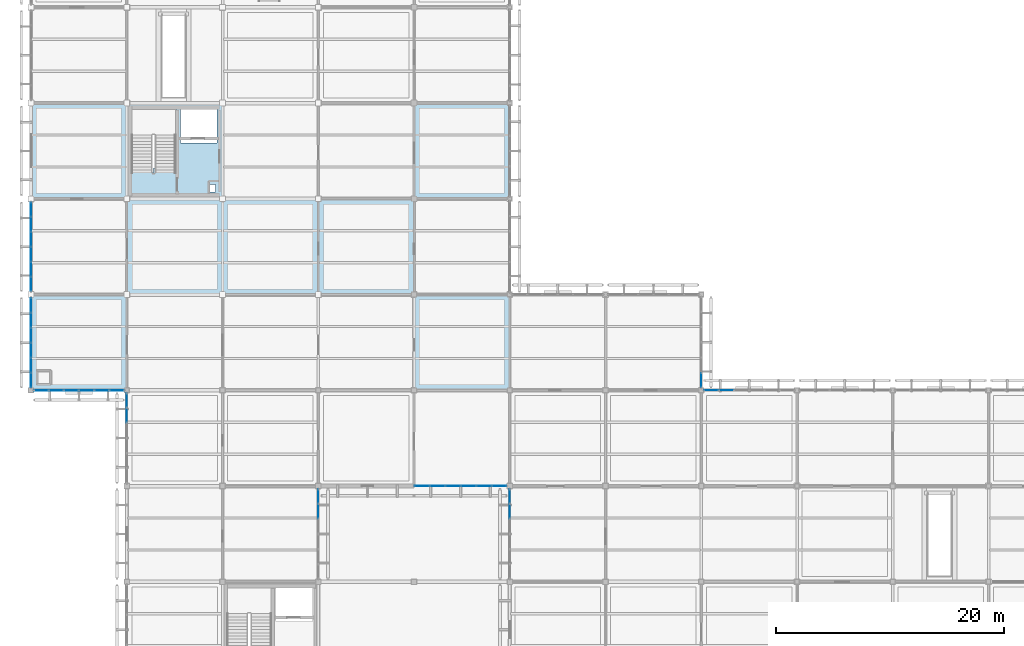
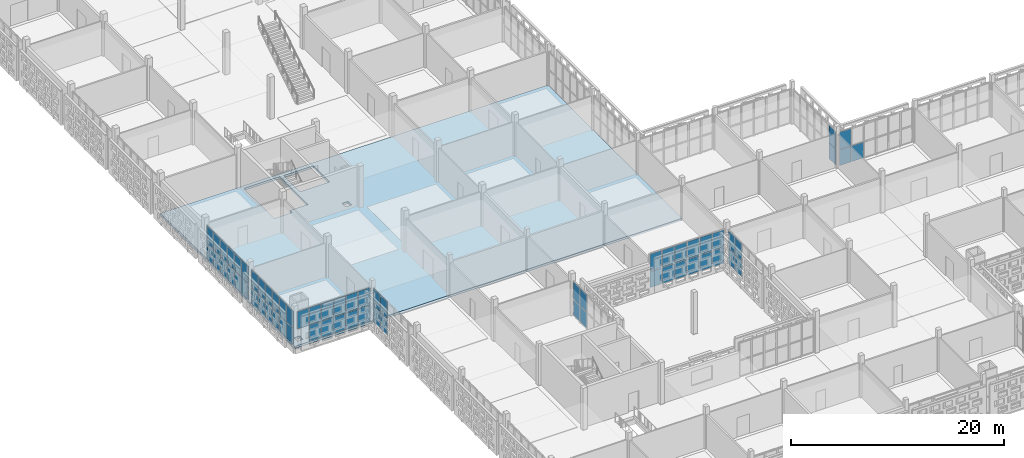
# One storey, part 89 of 203: 64 plates, 1 slab, 9 elements without a shape of their own.
"""IFC4 building model written with IfcOpenShell, lengths in metres."""

from ifc_helpers import new_model, si_unit, direction, frame, origin, origin_2d, place, context, subcontext, project, spatial, polyline, rectangle, outline, extrude, material, layer, layer_set, type_object, element, aggregate, save


model = new_model("IFC4")

# Units and contexts
model_context = context("Model", 3, precision=1e-05, world=origin(), true_north=direction((0.0, 1.0)))
body_context = subcontext(model_context, "Body", "Model", "MODEL_VIEW")
ifc_project = project(units=[si_unit("LENGTHUNIT", "METRE"), si_unit("AREAUNIT", "SQUARE_METRE"), si_unit("VOLUMEUNIT", "CUBIC_METRE"), si_unit("PLANEANGLEUNIT", "RADIAN"), si_unit("MASSUNIT", "GRAM", prefix="KILO")], contexts=[model_context])

# Site, building, storey
site_placement = place(None, origin())
site = spatial("IfcSite", under=ifc_project, at=site_placement, CompositionType="ELEMENT")
building_placement = place(site_placement, origin())
building = spatial("IfcBuilding", under=site, at=building_placement, Name="Varnapada Polytechnic", CompositionType="ELEMENT")
storey_placement = place(building_placement, frame((0.0, 0.0, 4.800048828125)))
storey = spatial("IfcBuildingStorey", under=building, at=storey_placement, Name="L01", CompositionType="ELEMENT", Elevation=4.800048828125)

# Curtain wall, plates
ifc_material_1 = material(Name="Double low-E laminated glass", Category="glass")
ifc_layer_1 = layer(ifc_material_1, 0.159912109375)
ifc_layer_set_1 = layer_set([ifc_layer_1], Name="Double low-E laminated glass")
curtain_wall_type_1 = type_object("IfcCurtainWallType", Name="Curtain Wall CW-01", PredefinedType="NOTDEFINED", material=ifc_layer_set_1)
curtain_wall_1_placement = place(storey_placement, origin())
curtain_wall_1 = element("IfcCurtainWall", 1, at=curtain_wall_1_placement, inside=storey, type_object=curtain_wall_type_1, Name="L01 unitised curtain wall CW-01 (51)", PredefinedType="NOTDEFINED")
ifc_layer_2 = layer(ifc_material_1, 0.028076171875)
ifc_layer_set_2 = layer_set([ifc_layer_2], Name="Double low-E laminated glass")
plate_type_1 = type_object("IfcPlateType", Name="Curtain Panel PNL-01", PredefinedType="CURTAIN_PANEL", material=ifc_layer_set_2)
plate_1_placement = place(storey_placement, frame((58.800048828125, 42.892578125, 0.06005859375), z_axis=(0.0, 0.0, 1.0), x_axis=(0.0, -1.0, 0.0)))
plate_1 = element("IfcPlate", 2, at=plate_1_placement, type_object=plate_type_1, Name="CW-01 panel 6.1", PredefinedType="CURTAIN_PANEL", context=body_context, shape_type="SweptSolid", body=[
    extrude(rectangle(XDim=1.2451171875, YDim=0.028076171875, at=origin_2d()), origin(), (0.0, 0.0, 1.0), 1.810791015625),
])
plate_2_placement = place(storey_placement, frame((58.800048828125, 42.892578125, 1.9306640625), z_axis=(0.0, 0.0, 1.0), x_axis=(0.0, -1.0, 0.0)))
plate_2 = element("IfcPlate", 3, at=plate_2_placement, type_object=plate_type_1, Name="CW-01 panel 6.2", PredefinedType="CURTAIN_PANEL", context=body_context, shape_type="SweptSolid", body=[
    extrude(rectangle(XDim=1.2451171875, YDim=0.028076171875, at=origin_2d()), origin(), (0.0, 0.0, 1.0), 1.96923828125),
])
aggregate(curtain_wall_1, [plate_1, plate_2])

curtain_wall_2_placement = place(storey_placement, origin())
curtain_wall_2 = element("IfcCurtainWall", 4, at=curtain_wall_2_placement, inside=storey, type_object=curtain_wall_type_1, Name="L01 unitised curtain wall CW-01 (56)", PredefinedType="NOTDEFINED")
plate_3_placement = place(storey_placement, frame((59.691650390625, 42.0, 0.06005859375), z_axis=(0.0, 0.0, 1.0), x_axis=(1.0, 0.0, 0.0)))
plate_3 = element("IfcPlate", 5, at=plate_3_placement, type_object=plate_type_1, Name="CW-01 panel 1.1", PredefinedType="CURTAIN_PANEL", context=body_context, shape_type="SweptSolid", body=[
    extrude(rectangle(XDim=1.243408203125, YDim=0.028076171875, at=origin_2d()), origin(), (0.0, 0.0, 1.0), 1.810791015625),
])
plate_4_placement = place(storey_placement, frame((59.691650390625, 42.0, 1.9306640625), z_axis=(0.0, 0.0, 1.0), x_axis=(1.0, 0.0, 0.0)))
plate_4 = element("IfcPlate", 6, at=plate_4_placement, type_object=plate_type_1, Name="CW-01 panel 1.2", PredefinedType="CURTAIN_PANEL", context=body_context, shape_type="SweptSolid", body=[
    extrude(rectangle(XDim=1.243408203125, YDim=0.028076171875, at=origin_2d()), origin(), (0.0, 0.0, 1.0), 1.96923828125),
])
plate_5_placement = place(storey_placement, frame((61.010009765625, 42.0, 0.06005859375), z_axis=(0.0, 0.0, 1.0), x_axis=(1.0, 0.0, 0.0)))
plate_5 = element("IfcPlate", 7, at=plate_5_placement, type_object=plate_type_1, Name="CW-01 panel 2.1", PredefinedType="CURTAIN_PANEL", context=body_context, shape_type="SweptSolid", body=[
    extrude(rectangle(XDim=1.2734375, YDim=0.028076171875, at=origin_2d()), origin(), (0.0, 0.0, 1.0), 1.810791015625),
])
aggregate(curtain_wall_2, [plate_3, plate_4, plate_5])

ifc_layer_3 = layer(ifc_material_1, 0.179931640625)
ifc_layer_set_3 = layer_set([ifc_layer_3], Name="Double low-E laminated glass")
curtain_wall_type_2 = type_object("IfcCurtainWallType", Name="Curtain Wall CW-03", PredefinedType="NOTDEFINED", material=ifc_layer_set_3)
curtain_wall_3_placement = place(storey_placement, origin())
curtain_wall_3 = element("IfcCurtainWall", 8, at=curtain_wall_3_placement, inside=storey, type_object=curtain_wall_type_2, Name="L01 unitised curtain wall CW-03 (19)", PredefinedType="NOTDEFINED")
ifc_layer_4 = layer(ifc_material_1, 0.031982421875)
ifc_layer_set_4 = layer_set([ifc_layer_4], Name="Double low-E laminated glass")
plate_type_2 = type_object("IfcPlateType", Name="Curtain Panel PNL-02", PredefinedType="CURTAIN_PANEL", material=ifc_layer_set_4)
plate_6_placement = place(storey_placement, frame((7.5087890625, 42.0, 0.06494140625), z_axis=(0.0, 0.0, 1.0), x_axis=(-1.0, 0.0, 0.0)))
plate_6 = element("IfcPlate", 9, at=plate_6_placement, type_object=plate_type_2, Name="CW-03 panel 1.1", PredefinedType="CURTAIN_PANEL", context=body_context, shape_type="SweptSolid", body=[
    extrude(rectangle(XDim=1.232421875, YDim=0.031982421875, at=origin_2d()), origin(), (0.0, 0.0, 1.0), 1.80322265625),
])
plate_7_placement = place(storey_placement, frame((7.5087890625, 42.0, 1.93310546875), z_axis=(0.0, 0.0, 1.0), x_axis=(-1.0, 0.0, 0.0)))
plate_7 = element("IfcPlate", 10, at=plate_7_placement, type_object=plate_type_2, Name="CW-03 panel 1.2", PredefinedType="CURTAIN_PANEL", context=body_context, shape_type="SweptSolid", body=[
    extrude(rectangle(XDim=1.232421875, YDim=0.031982421875, at=origin_2d()), origin(), (0.0, 0.0, 1.0), 1.961669921875),
])
plate_8_placement = place(storey_placement, frame((6.195068359375, 42.0, 0.06494140625), z_axis=(0.0, 0.0, 1.0), x_axis=(-1.0, 0.0, 0.0)))
plate_8 = element("IfcPlate", 11, at=plate_8_placement, type_object=plate_type_2, Name="CW-03 panel 2.1", PredefinedType="CURTAIN_PANEL", context=body_context, shape_type="SweptSolid", body=[
    extrude(rectangle(XDim=1.264892578125, YDim=0.031982421875, at=origin_2d()), origin(), (0.0, 0.0, 1.0), 1.80322265625),
])
plate_9_placement = place(storey_placement, frame((6.195068359375, 42.0, 1.93310546875), z_axis=(0.0, 0.0, 1.0), x_axis=(-1.0, 0.0, 0.0)))
plate_9 = element("IfcPlate", 12, at=plate_9_placement, type_object=plate_type_2, Name="CW-03 panel 2.2", PredefinedType="CURTAIN_PANEL", context=body_context, shape_type="SweptSolid", body=[
    extrude(rectangle(XDim=1.264892578125, YDim=0.031982421875, at=origin_2d()), origin(), (0.0, 0.0, 1.0), 1.961669921875),
])
plate_10_placement = place(storey_placement, frame((4.864990234375, 42.0, 0.06494140625), z_axis=(0.0, 0.0, 1.0), x_axis=(-1.0, 0.0, 0.0)))
plate_10 = element("IfcPlate", 13, at=plate_10_placement, type_object=plate_type_2, Name="CW-03 panel 3.1", PredefinedType="CURTAIN_PANEL", context=body_context, shape_type="SweptSolid", body=[
    extrude(rectangle(XDim=1.264892578125, YDim=0.031982421875, at=origin_2d()), origin(), (0.0, 0.0, 1.0), 1.80322265625),
])
plate_11_placement = place(storey_placement, frame((4.864990234375, 42.0, 1.93310546875), z_axis=(0.0, 0.0, 1.0), x_axis=(-1.0, 0.0, 0.0)))
plate_11 = element("IfcPlate", 14, at=plate_11_placement, type_object=plate_type_2, Name="CW-03 panel 3.2", PredefinedType="CURTAIN_PANEL", context=body_context, shape_type="SweptSolid", body=[
    extrude(rectangle(XDim=1.264892578125, YDim=0.031982421875, at=origin_2d()), origin(), (0.0, 0.0, 1.0), 1.961669921875),
])
plate_12_placement = place(storey_placement, frame((3.534912109375, 42.0, 0.06494140625), z_axis=(0.0, 0.0, 1.0), x_axis=(-1.0, 0.0, 0.0)))
plate_12 = element("IfcPlate", 15, at=plate_12_placement, type_object=plate_type_2, Name="CW-03 panel 4.1", PredefinedType="CURTAIN_PANEL", context=body_context, shape_type="SweptSolid", body=[
    extrude(rectangle(XDim=1.264892578125, YDim=0.031982421875, at=origin_2d()), origin(), (0.0, 0.0, 1.0), 1.80322265625),
])
plate_13_placement = place(storey_placement, frame((3.534912109375, 42.0, 1.93310546875), z_axis=(0.0, 0.0, 1.0), x_axis=(-1.0, 0.0, 0.0)))
plate_13 = element("IfcPlate", 16, at=plate_13_placement, type_object=plate_type_2, Name="CW-03 panel 4.2", PredefinedType="CURTAIN_PANEL", context=body_context, shape_type="SweptSolid", body=[
    extrude(rectangle(XDim=1.264892578125, YDim=0.031982421875, at=origin_2d()), origin(), (0.0, 0.0, 1.0), 1.961669921875),
])
plate_14_placement = place(storey_placement, frame((2.205078125, 42.0, 0.06494140625), z_axis=(0.0, 0.0, 1.0), x_axis=(-1.0, 0.0, 0.0)))
plate_14 = element("IfcPlate", 17, at=plate_14_placement, type_object=plate_type_2, Name="CW-03 panel 5.1", PredefinedType="CURTAIN_PANEL", context=body_context, shape_type="SweptSolid", body=[
    extrude(rectangle(XDim=1.264892578125, YDim=0.031982421875, at=origin_2d()), origin(), (0.0, 0.0, 1.0), 1.80322265625),
])
plate_15_placement = place(storey_placement, frame((2.205078125, 42.0, 1.93310546875), z_axis=(0.0, 0.0, 1.0), x_axis=(-1.0, 0.0, 0.0)))
plate_15 = element("IfcPlate", 18, at=plate_15_placement, type_object=plate_type_2, Name="CW-03 panel 5.2", PredefinedType="CURTAIN_PANEL", context=body_context, shape_type="SweptSolid", body=[
    extrude(rectangle(XDim=1.264892578125, YDim=0.031982421875, at=origin_2d()), origin(), (0.0, 0.0, 1.0), 1.961669921875),
])
plate_16_placement = place(storey_placement, frame((0.891357421875, 42.0, 1.93310546875), z_axis=(0.0, 0.0, 1.0), x_axis=(-1.0, 0.0, 0.0)))
plate_16 = element("IfcPlate", 19, at=plate_16_placement, type_object=plate_type_2, Name="CW-03 panel 6.2", PredefinedType="CURTAIN_PANEL", context=body_context, shape_type="SweptSolid", body=[
    extrude(rectangle(XDim=1.232421875, YDim=0.031982421875, at=origin_2d()), origin(), (0.0, 0.0, 1.0), 1.961669921875),
])
aggregate(curtain_wall_3, [plate_6, plate_7, plate_8, plate_9, plate_10, plate_11, plate_12, plate_13, plate_14, plate_15, plate_16])

curtain_wall_4_placement = place(storey_placement, origin())
curtain_wall_4 = element("IfcCurtainWall", 20, at=curtain_wall_4_placement, inside=storey, type_object=curtain_wall_type_2, Name="L01 unitised curtain wall CW-03 (20)", PredefinedType="NOTDEFINED")
plate_17_placement = place(storey_placement, frame((0.0, 42.886962890625, 0.06494140625), z_axis=(0.0, 0.0, 1.0), x_axis=(0.0, 1.0, 0.0)))
plate_17 = element("IfcPlate", 21, at=plate_17_placement, type_object=plate_type_2, Name="CW-03 panel 1.1", PredefinedType="CURTAIN_PANEL", context=body_context, shape_type="SweptSolid", body=[
    extrude(rectangle(XDim=1.22412109375, YDim=0.031982421875, at=origin_2d()), origin(), (0.0, 0.0, 1.0), 1.80322265625),
])
plate_18_placement = place(storey_placement, frame((0.0, 42.886962890625, 1.93310546875), z_axis=(0.0, 0.0, 1.0), x_axis=(0.0, 1.0, 0.0)))
plate_18 = element("IfcPlate", 22, at=plate_18_placement, type_object=plate_type_2, Name="CW-03 panel 1.2", PredefinedType="CURTAIN_PANEL", context=body_context, shape_type="SweptSolid", body=[
    extrude(rectangle(XDim=1.22412109375, YDim=0.031982421875, at=origin_2d()), origin(), (0.0, 0.0, 1.0), 1.961669921875),
])
plate_19_placement = place(storey_placement, frame((0.0, 44.1923828125, 0.06494140625), z_axis=(0.0, 0.0, 1.0), x_axis=(0.0, 1.0, 0.0)))
plate_19 = element("IfcPlate", 23, at=plate_19_placement, type_object=plate_type_2, Name="CW-03 panel 2.1", PredefinedType="CURTAIN_PANEL", context=body_context, shape_type="SweptSolid", body=[
    extrude(rectangle(XDim=1.256591796875, YDim=0.031982421875, at=origin_2d()), origin(), (0.0, 0.0, 1.0), 1.80322265625),
])
plate_20_placement = place(storey_placement, frame((0.0, 44.1923828125, 1.93310546875), z_axis=(0.0, 0.0, 1.0), x_axis=(0.0, 1.0, 0.0)))
plate_20 = element("IfcPlate", 24, at=plate_20_placement, type_object=plate_type_2, Name="CW-03 panel 2.2", PredefinedType="CURTAIN_PANEL", context=body_context, shape_type="SweptSolid", body=[
    extrude(rectangle(XDim=1.256591796875, YDim=0.031982421875, at=origin_2d()), origin(), (0.0, 0.0, 1.0), 1.961669921875),
])
plate_21_placement = place(storey_placement, frame((0.0, 45.51416015625, 0.06494140625), z_axis=(0.0, 0.0, 1.0), x_axis=(0.0, 1.0, 0.0)))
plate_21 = element("IfcPlate", 25, at=plate_21_placement, type_object=plate_type_2, Name="CW-03 panel 3.1", PredefinedType="CURTAIN_PANEL", context=body_context, shape_type="SweptSolid", body=[
    extrude(rectangle(XDim=1.256591796875, YDim=0.031982421875, at=origin_2d()), origin(), (0.0, 0.0, 1.0), 1.80322265625),
])
plate_22_placement = place(storey_placement, frame((0.0, 45.51416015625, 1.93310546875), z_axis=(0.0, 0.0, 1.0), x_axis=(0.0, 1.0, 0.0)))
plate_22 = element("IfcPlate", 26, at=plate_22_placement, type_object=plate_type_2, Name="CW-03 panel 3.2", PredefinedType="CURTAIN_PANEL", context=body_context, shape_type="SweptSolid", body=[
    extrude(rectangle(XDim=1.256591796875, YDim=0.031982421875, at=origin_2d()), origin(), (0.0, 0.0, 1.0), 1.961669921875),
])
plate_23_placement = place(storey_placement, frame((0.0, 46.8359375, 0.06494140625), z_axis=(0.0, 0.0, 1.0), x_axis=(0.0, 1.0, 0.0)))
plate_23 = element("IfcPlate", 27, at=plate_23_placement, type_object=plate_type_2, Name="CW-03 panel 4.1", PredefinedType="CURTAIN_PANEL", context=body_context, shape_type="SweptSolid", body=[
    extrude(rectangle(XDim=1.256591796875, YDim=0.031982421875, at=origin_2d()), origin(), (0.0, 0.0, 1.0), 1.80322265625),
])
plate_24_placement = place(storey_placement, frame((0.0, 46.8359375, 1.93310546875), z_axis=(0.0, 0.0, 1.0), x_axis=(0.0, 1.0, 0.0)))
plate_24 = element("IfcPlate", 28, at=plate_24_placement, type_object=plate_type_2, Name="CW-03 panel 4.2", PredefinedType="CURTAIN_PANEL", context=body_context, shape_type="SweptSolid", body=[
    extrude(rectangle(XDim=1.256591796875, YDim=0.031982421875, at=origin_2d()), origin(), (0.0, 0.0, 1.0), 1.961669921875),
])
plate_25_placement = place(storey_placement, frame((0.0, 48.157470703125, 0.06494140625), z_axis=(0.0, 0.0, 1.0), x_axis=(0.0, 1.0, 0.0)))
plate_25 = element("IfcPlate", 29, at=plate_25_placement, type_object=plate_type_2, Name="CW-03 panel 5.1", PredefinedType="CURTAIN_PANEL", context=body_context, shape_type="SweptSolid", body=[
    extrude(rectangle(XDim=1.256591796875, YDim=0.031982421875, at=origin_2d()), origin(), (0.0, 0.0, 1.0), 1.80322265625),
])
plate_26_placement = place(storey_placement, frame((0.0, 48.157470703125, 1.93310546875), z_axis=(0.0, 0.0, 1.0), x_axis=(0.0, 1.0, 0.0)))
plate_26 = element("IfcPlate", 30, at=plate_26_placement, type_object=plate_type_2, Name="CW-03 panel 5.2", PredefinedType="CURTAIN_PANEL", context=body_context, shape_type="SweptSolid", body=[
    extrude(rectangle(XDim=1.256591796875, YDim=0.031982421875, at=origin_2d()), origin(), (0.0, 0.0, 1.0), 1.961669921875),
])
plate_27_placement = place(storey_placement, frame((0.0, 49.462890625, 0.06494140625), z_axis=(0.0, 0.0, 1.0), x_axis=(0.0, 1.0, 0.0)))
plate_27 = element("IfcPlate", 31, at=plate_27_placement, type_object=plate_type_2, Name="CW-03 panel 6.1", PredefinedType="CURTAIN_PANEL", context=body_context, shape_type="SweptSolid", body=[
    extrude(rectangle(XDim=1.22412109375, YDim=0.031982421875, at=origin_2d()), origin(), (0.0, 0.0, 1.0), 1.80322265625),
])
plate_28_placement = place(storey_placement, frame((0.0, 49.462890625, 1.93310546875), z_axis=(0.0, 0.0, 1.0), x_axis=(0.0, 1.0, 0.0)))
plate_28 = element("IfcPlate", 32, at=plate_28_placement, type_object=plate_type_2, Name="CW-03 panel 6.2", PredefinedType="CURTAIN_PANEL", context=body_context, shape_type="SweptSolid", body=[
    extrude(rectangle(XDim=1.22412109375, YDim=0.031982421875, at=origin_2d()), origin(), (0.0, 0.0, 1.0), 1.961669921875),
])
aggregate(curtain_wall_4, [plate_17, plate_18, plate_19, plate_20, plate_21, plate_22, plate_23, plate_24, plate_25, plate_26, plate_27, plate_28])

curtain_wall_5_placement = place(storey_placement, origin())
curtain_wall_5 = element("IfcCurtainWall", 33, at=curtain_wall_5_placement, inside=storey, type_object=curtain_wall_type_2, Name="L01 unitised curtain wall CW-03 (21)", PredefinedType="NOTDEFINED")
plate_29_placement = place(storey_placement, frame((0.0, 51.3330078125, 0.06494140625), z_axis=(0.0, 0.0, 1.0), x_axis=(0.0, 1.0, 0.0)))
plate_29 = element("IfcPlate", 34, at=plate_29_placement, type_object=plate_type_2, Name="CW-03 panel 1.1", PredefinedType="CURTAIN_PANEL", context=body_context, shape_type="SweptSolid", body=[
    extrude(rectangle(XDim=1.2158203125, YDim=0.031982421875, at=origin_2d()), origin(), (0.0, 0.0, 1.0), 1.80322265625),
])
plate_30_placement = place(storey_placement, frame((0.0, 51.3330078125, 1.93310546875), z_axis=(0.0, 0.0, 1.0), x_axis=(0.0, 1.0, 0.0)))
plate_30 = element("IfcPlate", 35, at=plate_30_placement, type_object=plate_type_2, Name="CW-03 panel 1.2", PredefinedType="CURTAIN_PANEL", context=body_context, shape_type="SweptSolid", body=[
    extrude(rectangle(XDim=1.2158203125, YDim=0.031982421875, at=origin_2d()), origin(), (0.0, 0.0, 1.0), 1.961669921875),
])
plate_31_placement = place(storey_placement, frame((0.0, 52.6298828125, 0.06494140625), z_axis=(0.0, 0.0, 1.0), x_axis=(0.0, 1.0, 0.0)))
plate_31 = element("IfcPlate", 36, at=plate_31_placement, type_object=plate_type_2, Name="CW-03 panel 2.1", PredefinedType="CURTAIN_PANEL", context=body_context, shape_type="SweptSolid", body=[
    extrude(rectangle(XDim=1.248291015625, YDim=0.031982421875, at=origin_2d()), origin(), (0.0, 0.0, 1.0), 1.80322265625),
])
plate_32_placement = place(storey_placement, frame((0.0, 52.6298828125, 1.93310546875), z_axis=(0.0, 0.0, 1.0), x_axis=(0.0, 1.0, 0.0)))
plate_32 = element("IfcPlate", 37, at=plate_32_placement, type_object=plate_type_2, Name="CW-03 panel 2.2", PredefinedType="CURTAIN_PANEL", context=body_context, shape_type="SweptSolid", body=[
    extrude(rectangle(XDim=1.248291015625, YDim=0.031982421875, at=origin_2d()), origin(), (0.0, 0.0, 1.0), 1.961669921875),
])
plate_33_placement = place(storey_placement, frame((0.0, 53.943359375, 0.06494140625), z_axis=(0.0, 0.0, 1.0), x_axis=(0.0, 1.0, 0.0)))
plate_33 = element("IfcPlate", 38, at=plate_33_placement, type_object=plate_type_2, Name="CW-03 panel 3.1", PredefinedType="CURTAIN_PANEL", context=body_context, shape_type="SweptSolid", body=[
    extrude(rectangle(XDim=1.248291015625, YDim=0.031982421875, at=origin_2d()), origin(), (0.0, 0.0, 1.0), 1.80322265625),
])
plate_34_placement = place(storey_placement, frame((0.0, 53.943359375, 1.93310546875), z_axis=(0.0, 0.0, 1.0), x_axis=(0.0, 1.0, 0.0)))
plate_34 = element("IfcPlate", 39, at=plate_34_placement, type_object=plate_type_2, Name="CW-03 panel 3.2", PredefinedType="CURTAIN_PANEL", context=body_context, shape_type="SweptSolid", body=[
    extrude(rectangle(XDim=1.248291015625, YDim=0.031982421875, at=origin_2d()), origin(), (0.0, 0.0, 1.0), 1.961669921875),
])
plate_35_placement = place(storey_placement, frame((0.0, 55.256591796875, 0.06494140625), z_axis=(0.0, 0.0, 1.0), x_axis=(0.0, 1.0, 0.0)))
plate_35 = element("IfcPlate", 40, at=plate_35_placement, type_object=plate_type_2, Name="CW-03 panel 4.1", PredefinedType="CURTAIN_PANEL", context=body_context, shape_type="SweptSolid", body=[
    extrude(rectangle(XDim=1.248291015625, YDim=0.031982421875, at=origin_2d()), origin(), (0.0, 0.0, 1.0), 1.80322265625),
])
plate_36_placement = place(storey_placement, frame((0.0, 55.256591796875, 1.93310546875), z_axis=(0.0, 0.0, 1.0), x_axis=(0.0, 1.0, 0.0)))
plate_36 = element("IfcPlate", 41, at=plate_36_placement, type_object=plate_type_2, Name="CW-03 panel 4.2", PredefinedType="CURTAIN_PANEL", context=body_context, shape_type="SweptSolid", body=[
    extrude(rectangle(XDim=1.248291015625, YDim=0.031982421875, at=origin_2d()), origin(), (0.0, 0.0, 1.0), 1.961669921875),
])
plate_37_placement = place(storey_placement, frame((0.0, 56.570068359375, 0.06494140625), z_axis=(0.0, 0.0, 1.0), x_axis=(0.0, 1.0, 0.0)))
plate_37 = element("IfcPlate", 42, at=plate_37_placement, type_object=plate_type_2, Name="CW-03 panel 5.1", PredefinedType="CURTAIN_PANEL", context=body_context, shape_type="SweptSolid", body=[
    extrude(rectangle(XDim=1.248291015625, YDim=0.031982421875, at=origin_2d()), origin(), (0.0, 0.0, 1.0), 1.80322265625),
])
plate_38_placement = place(storey_placement, frame((0.0, 56.570068359375, 1.93310546875), z_axis=(0.0, 0.0, 1.0), x_axis=(0.0, 1.0, 0.0)))
plate_38 = element("IfcPlate", 43, at=plate_38_placement, type_object=plate_type_2, Name="CW-03 panel 5.2", PredefinedType="CURTAIN_PANEL", context=body_context, shape_type="SweptSolid", body=[
    extrude(rectangle(XDim=1.248291015625, YDim=0.031982421875, at=origin_2d()), origin(), (0.0, 0.0, 1.0), 1.961669921875),
])
plate_39_placement = place(storey_placement, frame((0.0, 57.8671875, 0.06494140625), z_axis=(0.0, 0.0, 1.0), x_axis=(0.0, 1.0, 0.0)))
plate_39 = element("IfcPlate", 44, at=plate_39_placement, type_object=plate_type_2, Name="CW-03 panel 6.1", PredefinedType="CURTAIN_PANEL", context=body_context, shape_type="SweptSolid", body=[
    extrude(rectangle(XDim=1.2158203125, YDim=0.031982421875, at=origin_2d()), origin(), (0.0, 0.0, 1.0), 1.80322265625),
])
plate_40_placement = place(storey_placement, frame((0.0, 57.8671875, 1.93310546875), z_axis=(0.0, 0.0, 1.0), x_axis=(0.0, 1.0, 0.0)))
plate_40 = element("IfcPlate", 45, at=plate_40_placement, type_object=plate_type_2, Name="CW-03 panel 6.2", PredefinedType="CURTAIN_PANEL", context=body_context, shape_type="SweptSolid", body=[
    extrude(rectangle(XDim=1.2158203125, YDim=0.031982421875, at=origin_2d()), origin(), (0.0, 0.0, 1.0), 1.961669921875),
])
aggregate(curtain_wall_5, [plate_29, plate_30, plate_31, plate_32, plate_33, plate_34, plate_35, plate_36, plate_37, plate_38, plate_39, plate_40])

curtain_wall_6_placement = place(storey_placement, origin())
curtain_wall_6 = element("IfcCurtainWall", 46, at=curtain_wall_6_placement, inside=storey, type_object=curtain_wall_type_2, Name="L01 unitised curtain wall CW-03 (29)", PredefinedType="NOTDEFINED")
plate_41_placement = place(storey_placement, frame((8.39990234375, 39.800048828125, 0.06494140625), z_axis=(0.0, 0.0, 1.0), x_axis=(0.0, 1.0, 0.0)))
plate_41 = element("IfcPlate", 47, at=plate_41_placement, type_object=plate_type_2, Name="CW-03 panel 5.1", PredefinedType="CURTAIN_PANEL", context=body_context, shape_type="SweptSolid", body=[
    extrude(rectangle(XDim=1.26171875, YDim=0.031982421875, at=origin_2d()), origin(), (0.0, 0.0, 1.0), 1.80322265625),
])
plate_42_placement = place(storey_placement, frame((8.39990234375, 39.800048828125, 1.93310546875), z_axis=(0.0, 0.0, 1.0), x_axis=(0.0, 1.0, 0.0)))
plate_42 = element("IfcPlate", 48, at=plate_42_placement, type_object=plate_type_2, Name="CW-03 panel 5.2", PredefinedType="CURTAIN_PANEL", context=body_context, shape_type="SweptSolid", body=[
    extrude(rectangle(XDim=1.26171875, YDim=0.031982421875, at=origin_2d()), origin(), (0.0, 0.0, 1.0), 1.961669921875),
])
plate_43_placement = place(storey_placement, frame((8.39990234375, 41.1103515625, 0.06494140625), z_axis=(0.0, 0.0, 1.0), x_axis=(0.0, 1.0, 0.0)))
plate_43 = element("IfcPlate", 49, at=plate_43_placement, type_object=plate_type_2, Name="CW-03 panel 6.1", PredefinedType="CURTAIN_PANEL", context=body_context, shape_type="SweptSolid", body=[
    extrude(rectangle(XDim=1.229248046875, YDim=0.031982421875, at=origin_2d()), origin(), (0.0, 0.0, 1.0), 1.80322265625),
])
plate_44_placement = place(storey_placement, frame((8.39990234375, 41.1103515625, 1.93310546875), z_axis=(0.0, 0.0, 1.0), x_axis=(0.0, 1.0, 0.0)))
plate_44 = element("IfcPlate", 50, at=plate_44_placement, type_object=plate_type_2, Name="CW-03 panel 6.2", PredefinedType="CURTAIN_PANEL", context=body_context, shape_type="SweptSolid", body=[
    extrude(rectangle(XDim=1.229248046875, YDim=0.031982421875, at=origin_2d()), origin(), (0.0, 0.0, 1.0), 1.961669921875),
])
aggregate(curtain_wall_6, [plate_41, plate_42, plate_43, plate_44])

curtain_wall_7_placement = place(storey_placement, origin())
curtain_wall_7 = element("IfcCurtainWall", 51, at=curtain_wall_7_placement, inside=storey, type_object=curtain_wall_type_2, Name="L01 unitised curtain wall CW-03 (32)", PredefinedType="NOTDEFINED")
plate_45_placement = place(storey_placement, frame((25.199951171875, 32.691162109375, 0.06494140625), z_axis=(0.0, 0.0, 1.0), x_axis=(0.0, -1.0, 0.0)))
plate_45 = element("IfcPlate", 52, at=plate_45_placement, type_object=plate_type_2, Name="CW-03 panel 1.1", PredefinedType="CURTAIN_PANEL", context=body_context, shape_type="SweptSolid", body=[
    extrude(rectangle(XDim=1.2275390625, YDim=0.031982421875, at=origin_2d()), origin(), (0.0, 0.0, 1.0), 1.80322265625),
])
plate_46_placement = place(storey_placement, frame((25.199951171875, 32.691162109375, 1.93310546875), z_axis=(0.0, 0.0, 1.0), x_axis=(0.0, -1.0, 0.0)))
plate_46 = element("IfcPlate", 53, at=plate_46_placement, type_object=plate_type_2, Name="CW-03 panel 1.2", PredefinedType="CURTAIN_PANEL", context=body_context, shape_type="SweptSolid", body=[
    extrude(rectangle(XDim=1.2275390625, YDim=0.031982421875, at=origin_2d()), origin(), (0.0, 0.0, 1.0), 1.961669921875),
])
plate_47_placement = place(storey_placement, frame((25.199951171875, 31.382568359375, 0.06494140625), z_axis=(0.0, 0.0, 1.0), x_axis=(0.0, -1.0, 0.0)))
plate_47 = element("IfcPlate", 54, at=plate_47_placement, type_object=plate_type_2, Name="CW-03 panel 2.1", PredefinedType="CURTAIN_PANEL", context=body_context, shape_type="SweptSolid", body=[
    extrude(rectangle(XDim=1.260009765625, YDim=0.031982421875, at=origin_2d()), origin(), (0.0, 0.0, 1.0), 1.80322265625),
])
plate_48_placement = place(storey_placement, frame((25.199951171875, 31.382568359375, 1.93310546875), z_axis=(0.0, 0.0, 1.0), x_axis=(0.0, -1.0, 0.0)))
plate_48 = element("IfcPlate", 55, at=plate_48_placement, type_object=plate_type_2, Name="CW-03 panel 2.2", PredefinedType="CURTAIN_PANEL", context=body_context, shape_type="SweptSolid", body=[
    extrude(rectangle(XDim=1.260009765625, YDim=0.031982421875, at=origin_2d()), origin(), (0.0, 0.0, 1.0), 1.961669921875),
])
aggregate(curtain_wall_7, [plate_45, plate_46, plate_47, plate_48])

curtain_wall_8_placement = place(storey_placement, origin())
curtain_wall_8 = element("IfcCurtainWall", 56, at=curtain_wall_8_placement, inside=storey, type_object=curtain_wall_type_2, Name="L01 unitised curtain wall CW-03 (36)", PredefinedType="NOTDEFINED")
plate_49_placement = place(storey_placement, frame((41.072998046875, 33.60009765625, 0.06494140625), z_axis=(0.0, 0.0, 1.0), x_axis=(-1.0, 0.0, 0.0)))
plate_49 = element("IfcPlate", 57, at=plate_49_placement, type_object=plate_type_2, Name="CW-03 panel 1.1", PredefinedType="CURTAIN_PANEL", context=body_context, shape_type="SweptSolid", body=[
    extrude(rectangle(XDim=1.26416015625, YDim=0.031982421875, at=origin_2d()), origin(), (0.0, 0.0, 1.0), 1.80322265625),
])
plate_50_placement = place(storey_placement, frame((41.072998046875, 33.60009765625, 1.93310546875), z_axis=(0.0, 0.0, 1.0), x_axis=(-1.0, 0.0, 0.0)))
plate_50 = element("IfcPlate", 58, at=plate_50_placement, type_object=plate_type_2, Name="CW-03 panel 1.2", PredefinedType="CURTAIN_PANEL", context=body_context, shape_type="SweptSolid", body=[
    extrude(rectangle(XDim=1.26416015625, YDim=0.031982421875, at=origin_2d()), origin(), (0.0, 0.0, 1.0), 1.961669921875),
])
plate_51_placement = place(storey_placement, frame((39.7275390625, 33.60009765625, 0.06494140625), z_axis=(0.0, 0.0, 1.0), x_axis=(-1.0, 0.0, 0.0)))
plate_51 = element("IfcPlate", 59, at=plate_51_placement, type_object=plate_type_2, Name="CW-03 panel 2.1", PredefinedType="CURTAIN_PANEL", context=body_context, shape_type="SweptSolid", body=[
    extrude(rectangle(XDim=1.296630859375, YDim=0.031982421875, at=origin_2d()), origin(), (0.0, 0.0, 1.0), 1.80322265625),
])
plate_52_placement = place(storey_placement, frame((39.7275390625, 33.60009765625, 1.93310546875), z_axis=(0.0, 0.0, 1.0), x_axis=(-1.0, 0.0, 0.0)))
plate_52 = element("IfcPlate", 60, at=plate_52_placement, type_object=plate_type_2, Name="CW-03 panel 2.2", PredefinedType="CURTAIN_PANEL", context=body_context, shape_type="SweptSolid", body=[
    extrude(rectangle(XDim=1.296630859375, YDim=0.031982421875, at=origin_2d()), origin(), (0.0, 0.0, 1.0), 1.961669921875),
])
plate_53_placement = place(storey_placement, frame((38.36572265625, 33.60009765625, 0.06494140625), z_axis=(0.0, 0.0, 1.0), x_axis=(-1.0, 0.0, 0.0)))
plate_53 = element("IfcPlate", 61, at=plate_53_placement, type_object=plate_type_2, Name="CW-03 panel 3.1", PredefinedType="CURTAIN_PANEL", context=body_context, shape_type="SweptSolid", body=[
    extrude(rectangle(XDim=1.296630859375, YDim=0.031982421875, at=origin_2d()), origin(), (0.0, 0.0, 1.0), 1.80322265625),
])
plate_54_placement = place(storey_placement, frame((38.36572265625, 33.60009765625, 1.93310546875), z_axis=(0.0, 0.0, 1.0), x_axis=(-1.0, 0.0, 0.0)))
plate_54 = element("IfcPlate", 62, at=plate_54_placement, type_object=plate_type_2, Name="CW-03 panel 3.2", PredefinedType="CURTAIN_PANEL", context=body_context, shape_type="SweptSolid", body=[
    extrude(rectangle(XDim=1.296630859375, YDim=0.031982421875, at=origin_2d()), origin(), (0.0, 0.0, 1.0), 1.961669921875),
])
plate_55_placement = place(storey_placement, frame((37.004150390625, 33.60009765625, 0.06494140625), z_axis=(0.0, 0.0, 1.0), x_axis=(-1.0, 0.0, 0.0)))
plate_55 = element("IfcPlate", 63, at=plate_55_placement, type_object=plate_type_2, Name="CW-03 panel 4.1", PredefinedType="CURTAIN_PANEL", context=body_context, shape_type="SweptSolid", body=[
    extrude(rectangle(XDim=1.296630859375, YDim=0.031982421875, at=origin_2d()), origin(), (0.0, 0.0, 1.0), 1.80322265625),
])
plate_56_placement = place(storey_placement, frame((37.004150390625, 33.60009765625, 1.93310546875), z_axis=(0.0, 0.0, 1.0), x_axis=(-1.0, 0.0, 0.0)))
plate_56 = element("IfcPlate", 64, at=plate_56_placement, type_object=plate_type_2, Name="CW-03 panel 4.2", PredefinedType="CURTAIN_PANEL", context=body_context, shape_type="SweptSolid", body=[
    extrude(rectangle(XDim=1.296630859375, YDim=0.031982421875, at=origin_2d()), origin(), (0.0, 0.0, 1.0), 1.961669921875),
])
plate_57_placement = place(storey_placement, frame((35.642578125, 33.60009765625, 0.06494140625), z_axis=(0.0, 0.0, 1.0), x_axis=(-1.0, 0.0, 0.0)))
plate_57 = element("IfcPlate", 65, at=plate_57_placement, type_object=plate_type_2, Name="CW-03 panel 5.1", PredefinedType="CURTAIN_PANEL", context=body_context, shape_type="SweptSolid", body=[
    extrude(rectangle(XDim=1.296630859375, YDim=0.031982421875, at=origin_2d()), origin(), (0.0, 0.0, 1.0), 1.80322265625),
])
plate_58_placement = place(storey_placement, frame((35.642578125, 33.60009765625, 1.93310546875), z_axis=(0.0, 0.0, 1.0), x_axis=(-1.0, 0.0, 0.0)))
plate_58 = element("IfcPlate", 66, at=plate_58_placement, type_object=plate_type_2, Name="CW-03 panel 5.2", PredefinedType="CURTAIN_PANEL", context=body_context, shape_type="SweptSolid", body=[
    extrude(rectangle(XDim=1.296630859375, YDim=0.031982421875, at=origin_2d()), origin(), (0.0, 0.0, 1.0), 1.961669921875),
])
plate_59_placement = place(storey_placement, frame((34.297119140625, 33.60009765625, 0.06494140625), z_axis=(0.0, 0.0, 1.0), x_axis=(-1.0, 0.0, 0.0)))
plate_59 = element("IfcPlate", 67, at=plate_59_placement, type_object=plate_type_2, Name="CW-03 panel 6.1", PredefinedType="CURTAIN_PANEL", context=body_context, shape_type="SweptSolid", body=[
    extrude(rectangle(XDim=1.26416015625, YDim=0.031982421875, at=origin_2d()), origin(), (0.0, 0.0, 1.0), 1.80322265625),
])
plate_60_placement = place(storey_placement, frame((34.297119140625, 33.60009765625, 1.93310546875), z_axis=(0.0, 0.0, 1.0), x_axis=(-1.0, 0.0, 0.0)))
plate_60 = element("IfcPlate", 68, at=plate_60_placement, type_object=plate_type_2, Name="CW-03 panel 6.2", PredefinedType="CURTAIN_PANEL", context=body_context, shape_type="SweptSolid", body=[
    extrude(rectangle(XDim=1.26416015625, YDim=0.031982421875, at=origin_2d()), origin(), (0.0, 0.0, 1.0), 1.961669921875),
])
aggregate(curtain_wall_8, [plate_49, plate_50, plate_51, plate_52, plate_53, plate_54, plate_55, plate_56, plate_57, plate_58, plate_59, plate_60])

curtain_wall_9_placement = place(storey_placement, origin())
curtain_wall_9 = element("IfcCurtainWall", 69, at=curtain_wall_9_placement, inside=storey, type_object=curtain_wall_type_2, Name="L01 unitised curtain wall CW-03 (44)", PredefinedType="NOTDEFINED")
plate_61_placement = place(storey_placement, frame((42.0, 31.382568359375, 0.06494140625), z_axis=(0.0, 0.0, 1.0), x_axis=(0.0, 1.0, 0.0)))
plate_61 = element("IfcPlate", 70, at=plate_61_placement, type_object=plate_type_2, Name="CW-03 panel 5.1", PredefinedType="CURTAIN_PANEL", context=body_context, shape_type="SweptSolid", body=[
    extrude(rectangle(XDim=1.260009765625, YDim=0.031982421875, at=origin_2d()), origin(), (0.0, 0.0, 1.0), 1.80322265625),
])
plate_62_placement = place(storey_placement, frame((42.0, 31.382568359375, 1.93310546875), z_axis=(0.0, 0.0, 1.0), x_axis=(0.0, 1.0, 0.0)))
plate_62 = element("IfcPlate", 71, at=plate_62_placement, type_object=plate_type_2, Name="CW-03 panel 5.2", PredefinedType="CURTAIN_PANEL", context=body_context, shape_type="SweptSolid", body=[
    extrude(rectangle(XDim=1.260009765625, YDim=0.031982421875, at=origin_2d()), origin(), (0.0, 0.0, 1.0), 1.961669921875),
])
plate_63_placement = place(storey_placement, frame((42.0, 32.691162109375, 0.06494140625), z_axis=(0.0, 0.0, 1.0), x_axis=(0.0, 1.0, 0.0)))
plate_63 = element("IfcPlate", 72, at=plate_63_placement, type_object=plate_type_2, Name="CW-03 panel 6.1", PredefinedType="CURTAIN_PANEL", context=body_context, shape_type="SweptSolid", body=[
    extrude(rectangle(XDim=1.2275390625, YDim=0.031982421875, at=origin_2d()), origin(), (0.0, 0.0, 1.0), 1.80322265625),
])
plate_64_placement = place(storey_placement, frame((42.0, 32.691162109375, 1.93310546875), z_axis=(0.0, 0.0, 1.0), x_axis=(0.0, 1.0, 0.0)))
plate_64 = element("IfcPlate", 73, at=plate_64_placement, type_object=plate_type_2, Name="CW-03 panel 6.2", PredefinedType="CURTAIN_PANEL", context=body_context, shape_type="SweptSolid", body=[
    extrude(rectangle(XDim=1.2275390625, YDim=0.031982421875, at=origin_2d()), origin(), (0.0, 0.0, 1.0), 1.961669921875),
])
aggregate(curtain_wall_9, [plate_61, plate_62, plate_63, plate_64])

# Slab
ifc_material_2 = material(Name="Cross-laminated timber CLT C24", Category="wood")
ifc_layer_5 = layer(ifc_material_2, 0.25)
ifc_layer_set_5 = layer_set([ifc_layer_5], Name="Cross-laminated timber CLT C24")
slab_type = type_object("IfcSlabType", Name="L01/L02 library & union CLT composite slab SL-05", PredefinedType="FLOOR", material=ifc_layer_set_5)
slab_placement = place(storey_placement, frame((0.0, 0.0, -0.25)))
element("IfcSlab", 74, at=slab_placement, inside=storey, type_object=slab_type, Name="L01 V4 slab 1.1", PredefinedType="FLOOR", context=body_context, shape_type="SweptSolid", body=[
    extrude(outline(polyline([(0.0, 58.800048828125), (0.0, 67.199951171875), (8.39990234375, 67.199951171875), (16.800048828125, 67.199951171875), (25.199951171875, 67.199951171875), (33.60009765625, 67.199951171875), (42.0, 67.199951171875), (42.0, 58.800048828125), (42.0, 50.39990234375), (42.0, 42.0), (33.60009765625, 42.0), (25.199951171875, 42.0), (16.800048828125, 42.0), (8.39990234375, 42.0), (0.0, 42.0), (0.0, 50.39990234375), (0.0, 58.800048828125)]), holes=[polyline([(8.800048828125, 61.110107421875), (10.75, 61.110107421875), (10.75, 61.510009765625), (12.699951171875, 61.510009765625), (12.699951171875, 66.800048828125), (8.800048828125, 66.800048828125), (8.800048828125, 61.110107421875)]), polyline([(13.10009765625, 63.699951171875), (16.300048828125, 63.699951171875), (16.300048828125, 66.75), (13.10009765625, 66.75), (13.10009765625, 63.699951171875)]), polyline([(15.550048828125, 59.419921875), (16.199951171875, 59.419921875), (16.199951171875, 60.070068359375), (15.550048828125, 60.070068359375), (15.550048828125, 59.419921875)]), polyline([(0.64990234375, 42.64990234375), (1.25, 42.64990234375), (1.25, 43.25), (0.64990234375, 43.25), (0.64990234375, 42.64990234375)])]), origin(), (0.0, 0.0, 1.0), 0.25),
])

save(model, "model.ifc")
